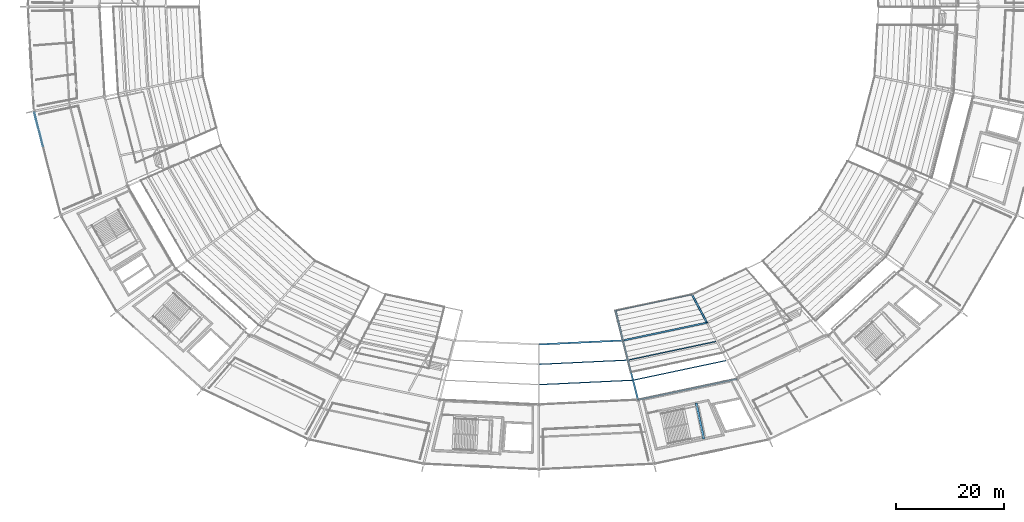
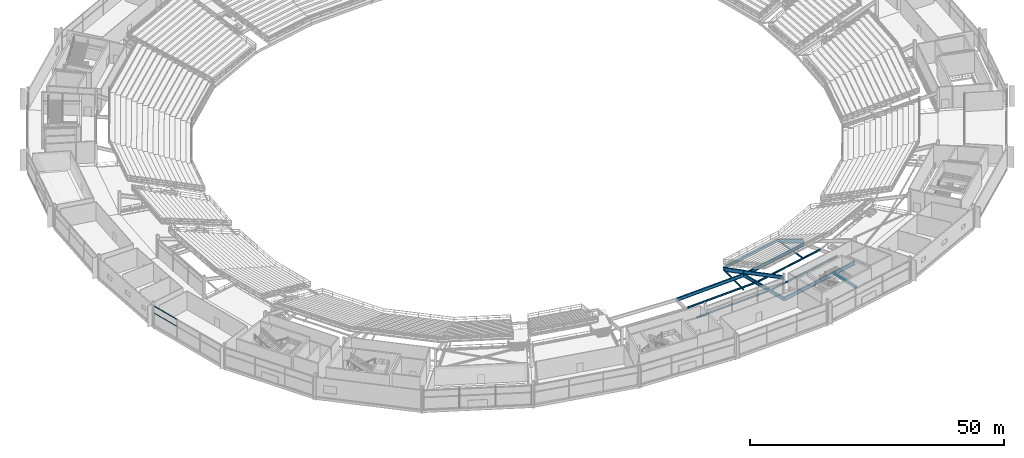
# One storey, part 41 of 186: 13 beams, 4 members, 1 element without a shape of its own.
"""IFC4 building model written with IfcOpenShell, lengths in metres."""

from ifc_helpers import new_model, si_unit, direction, frame, origin, origin_2d, place, context, subcontext, project, spatial, rectangle, hollow_rectangle, hollow_circle, i_section, extrude, material, layer, layer_set, material_profile, profile_set, type_object, element, aggregate, save


model = new_model("IFC4")

# Units and contexts
model_context = context("Model", 3, precision=1e-05, world=origin(), true_north=direction((0.0, 1.0)))
body_context = subcontext(model_context, "Body", "Model", "MODEL_VIEW")
ifc_project = project(units=[si_unit("LENGTHUNIT", "METRE"), si_unit("AREAUNIT", "SQUARE_METRE"), si_unit("VOLUMEUNIT", "CUBIC_METRE"), si_unit("PLANEANGLEUNIT", "RADIAN"), si_unit("MASSUNIT", "GRAM", prefix="KILO")], contexts=[model_context])

# Site, building, storey
site_placement = place(None, origin())
site = spatial("IfcSite", under=ifc_project, at=site_placement, CompositionType="ELEMENT")
building_placement = place(site_placement, origin())
building = spatial("IfcBuilding", under=site, at=building_placement, Name="Kazemori Nagisa Stadium", CompositionType="ELEMENT")
storey_placement = place(building_placement, frame((0.0, 0.0, 20.39990234375)))
storey = spatial("IfcBuildingStorey", under=building, at=storey_placement, Name="L04", CompositionType="ELEMENT", Elevation=20.39990234375)

# Beams
ifc_material_1 = material(Name="Steel SN490B", Category="steel")
ifc_material_profile_1 = material_profile(ifc_material_1, i_section(OverallWidth=0.300048828125, OverallDepth=0.800048828125, WebThickness=0.013916015625, FlangeThickness=0.02587890625, FilletRadius=0.01806640625, at=origin_2d()), Name="H-800x300x14x26")
ifc_profile_set_1 = profile_set([ifc_material_profile_1], Name="Steel SN490B")
beam_type_1 = type_object("IfcBeamType", Name="Beam_BG-H800", PredefinedType="BEAM", material=ifc_profile_set_1)
beam_1_placement = place(storey_placement, frame((123.0, 39.219970703125, -0.699951171875), z_axis=(0.998883604512, 0.047239227746, 0.0), x_axis=(-0.047239227746, 0.998883604512, 0.0)))
element("IfcBeam", 1, at=beam_1_placement, inside=storey, type_object=beam_type_1, Name="Ring girder BG-H800 L04 R1-22", PredefinedType="BEAM", context=body_context, shape_type="SweptSolid", body=[
    extrude(i_section(OverallWidth=0.300048828125, OverallDepth=0.800048828125, WebThickness=0.013916015625, FlangeThickness=0.02587890625, FilletRadius=0.01806640625, at=origin_2d()), origin(), (0.0, 0.0, 1.0), 15.65966796875),
])
beam_2_placement = place(storey_placement, frame((138.64208984375, 39.959716796875, -0.699951171875), z_axis=(0.978348272746, 0.206965352692, 0.0), x_axis=(-0.206965352692, 0.978348272746, 0.0)))
element("IfcBeam", 2, at=beam_2_placement, inside=storey, type_object=beam_type_1, Name="Ring girder BG-H800 L04 R1-23", PredefinedType="BEAM", context=body_context, shape_type="SweptSolid", body=[
    extrude(i_section(OverallWidth=0.300048828125, OverallDepth=0.800048828125, WebThickness=0.013916015625, FlangeThickness=0.02587890625, FilletRadius=0.01806640625, at=origin_2d()), origin(), (0.0, 0.0, 1.0), 15.950927734375),
])
beam_3_placement = place(storey_placement, frame((138.64208984375, 39.959716796875, -0.699951171875), z_axis=(0.244481205955, -0.969654031052, 0.0), x_axis=(0.969654031052, 0.244481205955, 0.0)))
element("IfcBeam", 3, at=beam_3_placement, inside=storey, type_object=beam_type_1, Name="Radial girder BG-H800 L04 R1-R2-23", PredefinedType="BEAM", context=body_context, shape_type="SweptSolid", body=[
    extrude(i_section(OverallWidth=0.300048828125, OverallDepth=0.800048828125, WebThickness=0.013916015625, FlangeThickness=0.02587890625, FilletRadius=0.01806640625, at=origin_2d()), origin(), (0.0, 0.0, 1.0), 11.39404296875),
])
ifc_material_profile_2 = material_profile(ifc_material_1, i_section(OverallWidth=0.300048828125, OverallDepth=0.89990234375, WebThickness=0.01611328125, FlangeThickness=0.028076171875, FilletRadius=0.01806640625, at=origin_2d()), Name="H-900x300x16x28")
ifc_profile_set_2 = profile_set([ifc_material_profile_2], Name="Steel SN490B")
beam_type_2 = type_object("IfcBeamType", Name="Beam_BG-H900", PredefinedType="BEAM", material=ifc_profile_set_2)
beam_4_placement = place(storey_placement, frame((141.427734375, 28.911376953125, -0.75), z_axis=(0.978345149833, 0.206980114499, 0.0), x_axis=(-0.206980114499, 0.978345149833, 0.0)))
element("IfcBeam", 4, at=beam_4_placement, inside=storey, type_object=beam_type_2, Name="Ring girder BG-H900 L04 R2-23", PredefinedType="BEAM", context=body_context, shape_type="SweptSolid", body=[
    extrude(i_section(OverallWidth=0.300048828125, OverallDepth=0.89990234375, WebThickness=0.01611328125, FlangeThickness=0.028076171875, FilletRadius=0.01806640625, at=origin_2d()), origin(), (0.0, 0.0, 1.0), 18.791259765625),
])
ifc_material_2 = material(Name="Concrete C40/50 (Fc42)", Category="concrete")
ifc_material_profile_3 = material_profile(ifc_material_2, rectangle(XDim=0.39990234375, YDim=0.60009765625, at=origin_2d()), Name="RC-BM-400x600")
ifc_profile_set_3 = profile_set([ifc_material_profile_3], Name="Concrete C40/50 (Fc42)")
beam_type_3 = type_object("IfcBeamType", Name="Beam_BG-LND400X600", PredefinedType="BEAM", material=ifc_profile_set_3)
beam_5_placement = place(storey_placement, frame((152.251708984375, 28.336669921875, 2.22021484375), z_axis=(0.206963195966, -0.97834872899, 0.0), x_axis=(0.97834872899, 0.206963195966, 0.0)))
element("IfcBeam", 5, at=beam_5_placement, inside=storey, type_object=beam_type_3, Name="Core stair mid-landing girder ST06-L04-2", PredefinedType="BEAM", context=body_context, shape_type="SweptSolid", body=[
    extrude(rectangle(XDim=0.39990234375, YDim=0.60009765625, at=origin_2d()), origin(), (0.0, 0.0, 1.0), 6.831298828125),
])
ifc_material_profile_4 = material_profile(ifc_material_1, i_section(OverallWidth=0.199951171875, OverallDepth=0.39990234375, WebThickness=0.008056640625, FlangeThickness=0.012939453125, FilletRadius=0.012939453125, at=origin_2d()), Name="H-400x200x8x13")
ifc_profile_set_4 = profile_set([ifc_material_profile_4], Name="Steel SN490B")
beam_type_4 = type_object("IfcBeamType", Name="Beam_BJ-H400", PredefinedType="JOIST", material=ifc_profile_set_4)
beam_6_placement = place(storey_placement, frame((123.144775390625, 35.52880859375, -0.5), z_axis=(0.998883881507, 0.047233370256, 0.0), x_axis=(-0.047233370256, 0.998883881507, 0.0)))
element("IfcBeam", 6, at=beam_6_placement, inside=storey, type_object=beam_type_4, Name="Concourse joist BJ-H400 L04 B22-1", PredefinedType="JOIST", context=body_context, shape_type="SweptSolid", body=[
    extrude(i_section(OverallWidth=0.199951171875, OverallDepth=0.39990234375, WebThickness=0.008056640625, FlangeThickness=0.012939453125, FilletRadius=0.012939453125, at=origin_2d()), origin(), (0.0, 0.0, 1.0), 16.2919921875),
])
beam_7_placement = place(storey_placement, frame((123.144775390625, 31.744873046875, -0.5), z_axis=(0.998884295209, 0.047224620536, 0.0), x_axis=(-0.047224620536, 0.998884295209, 0.0)))
element("IfcBeam", 7, at=beam_7_placement, inside=storey, type_object=beam_type_4, Name="Concourse joist BJ-H400 L04 B22-2", PredefinedType="JOIST", context=body_context, shape_type="SweptSolid", body=[
    extrude(i_section(OverallWidth=0.199951171875, OverallDepth=0.39990234375, WebThickness=0.008056640625, FlangeThickness=0.012939453125, FilletRadius=0.012939453125, at=origin_2d()), origin(), (0.0, 0.0, 1.0), 17.236083984375),
])
beam_8_placement = place(storey_placement, frame((139.70556640625, 36.335205078125, -0.5), z_axis=(0.978343632453, 0.206987286659, 0.0), x_axis=(-0.206987286659, 0.978343632453, 0.0)))
element("IfcBeam", 8, at=beam_8_placement, inside=storey, type_object=beam_type_4, Name="Concourse joist BJ-H400 L04 B23-1", PredefinedType="JOIST", context=body_context, shape_type="SweptSolid", body=[
    extrude(i_section(OverallWidth=0.199951171875, OverallDepth=0.39990234375, WebThickness=0.008056640625, FlangeThickness=0.012939453125, FilletRadius=0.012939453125, at=origin_2d()), origin(), (0.0, 0.0, 1.0), 16.600341796875),
])
beam_9_placement = place(storey_placement, frame((140.648193359375, 32.595703125, -0.5), z_axis=(0.978344127253, 0.206984947931, 0.0), x_axis=(-0.206984947931, 0.978344127253, 0.0)))
element("IfcBeam", 9, at=beam_9_placement, inside=storey, type_object=beam_type_4, Name="Concourse joist BJ-H400 L04 B23-2", PredefinedType="JOIST", context=body_context, shape_type="SweptSolid", body=[
    extrude(i_section(OverallWidth=0.199951171875, OverallDepth=0.39990234375, WebThickness=0.008056640625, FlangeThickness=0.012939453125, FilletRadius=0.012939453125, at=origin_2d()), origin(), (0.0, 0.0, 1.0), 17.561767578125),
])
ifc_material_profile_5 = material_profile(ifc_material_1, i_section(OverallWidth=0.199951171875, OverallDepth=0.60009765625, WebThickness=0.010986328125, FlangeThickness=0.01708984375, FilletRadius=0.012939453125, at=origin_2d()), Name="H-600x200x11x17")
ifc_profile_set_5 = profile_set([ifc_material_profile_5], Name="Steel SN490B")
beam_type_5 = type_object("IfcBeamType", Name="Beam_BS-H600", PredefinedType="SPANDREL", material=ifc_profile_set_5)
beam_10_placement = place(storey_placement, frame((137.24951171875, 45.483642578125, -1.885009765625), z_axis=(0.978343749073, 0.206986735446, 0.0), x_axis=(-0.206986735446, 0.978343749073, 0.0)))
element("IfcBeam", 10, at=beam_10_placement, inside=storey, type_object=beam_type_5, Name="Upper tier front ring beam 23", PredefinedType="SPANDREL", context=body_context, shape_type="SweptSolid", body=[
    extrude(i_section(OverallWidth=0.199951171875, OverallDepth=0.60009765625, WebThickness=0.010986328125, FlangeThickness=0.01708984375, FilletRadius=0.012939453125, at=origin_2d()), origin(), (0.0, 0.0, 1.0), 14.5302734375),
])
ifc_material_profile_6 = material_profile(ifc_material_1, i_section(OverallWidth=0.300048828125, OverallDepth=0.800048828125, WebThickness=0.013916015625, FlangeThickness=0.02587890625, FilletRadius=0.01806640625, at=origin_2d()), Name="H-800x300x14x26")
ifc_profile_set_6 = profile_set([ifc_material_profile_6], Name="Steel SN490B")
beam_type_6 = type_object("IfcBeamType", Name="Beam_RK-ST800", PredefinedType="USERDEFINED", material=ifc_profile_set_6)
beam_11_placement = place(storey_placement, frame((138.64208984375, 39.959716796875, 0.02001953125), z_axis=(0.227863469401, -0.903745262427, 0.362384795421), x_axis=(0.969654031052, 0.244481205955, 0.0)))
element("IfcBeam", 11, at=beam_11_placement, inside=storey, type_object=beam_type_6, Name="Raker beam upper backspan RK3-23B", ObjectType="RAKER BEAM", PredefinedType="USERDEFINED", context=body_context, shape_type="SweptSolid", body=[
    extrude(i_section(OverallWidth=0.300048828125, OverallDepth=0.800048828125, WebThickness=0.013916015625, FlangeThickness=0.02587890625, FilletRadius=0.01806640625, at=origin_2d()), origin(), (0.0, 0.0, 1.0), 12.22509765625),
])
ifc_material_profile_7 = material_profile(ifc_material_1, i_section(OverallWidth=0.300048828125, OverallDepth=0.89990234375, WebThickness=0.01611328125, FlangeThickness=0.028076171875, FilletRadius=0.01806640625, at=origin_2d()), Name="H-900x300x16x28")
ifc_profile_set_7 = profile_set([ifc_material_profile_7], Name="Steel SN490B")
beam_type_7 = type_object("IfcBeamType", Name="Beam_RK-ST900", PredefinedType="USERDEFINED", material=ifc_profile_set_7)
beam_12_placement = place(storey_placement, frame((137.24951171875, 45.483642578125, -2.14990234375), z_axis=(0.22844014143, -0.906151234222, 0.355956517712), x_axis=(0.969661628586, 0.244451070868, 0.0)))
element("IfcBeam", 12, at=beam_12_placement, inside=storey, type_object=beam_type_7, Name="Raker beam upper cantilever RK3-23A", ObjectType="RAKER BEAM", PredefinedType="USERDEFINED", context=body_context, shape_type="SweptSolid", body=[
    extrude(i_section(OverallWidth=0.300048828125, OverallDepth=0.89990234375, WebThickness=0.01611328125, FlangeThickness=0.028076171875, FilletRadius=0.01806640625, at=origin_2d()), origin(), (0.0, 0.0, 1.0), 6.095947265625),
])
beam_13_placement = place(storey_placement, frame((151.465087890625, 48.4912109375, -2.14990234375), z_axis=(0.441018272718, -0.828984334161, 0.343930017366), x_axis=(0.882841850635, 0.469670380978, 0.0)))
element("IfcBeam", 13, at=beam_13_placement, inside=storey, type_object=beam_type_7, Name="Raker beam upper cantilever RK3-24A", ObjectType="RAKER BEAM", PredefinedType="USERDEFINED", context=body_context, shape_type="SweptSolid", body=[
    extrude(i_section(OverallWidth=0.300048828125, OverallDepth=0.89990234375, WebThickness=0.01611328125, FlangeThickness=0.028076171875, FilletRadius=0.01806640625, at=origin_2d()), origin(), (0.0, 0.0, 1.0), 6.30908203125),
])

# Members
ifc_material_3 = material(Name="Steel STK490", Category="steel")
ifc_material_profile_8 = material_profile(ifc_material_3, hollow_circle(Radius=0.177734375, WallThickness=0.0126953125, at=origin_2d()), Name="CHS-355.6x12.7")
ifc_profile_set_8 = profile_set([ifc_material_profile_8], Name="Steel STK490")
member_type_1 = type_object("IfcMemberType", Name="Member_TB-CHS355", PredefinedType="BRACE", material=ifc_profile_set_8)
member_1_placement = place(storey_placement, frame((138.64208984375, 39.959716796875, -4.25), z_axis=(-0.229362090692, 0.909808321179, 0.345892830318), x_axis=(-0.969661628586, -0.244451070868, 0.0)))
element("IfcMember", 14, at=member_1_placement, inside=storey, type_object=member_type_1, Name="Upper tier cantilever truss strut UT-23", PredefinedType="BRACE", context=body_context, shape_type="SweptSolid", body=[
    extrude(hollow_circle(Radius=0.177734375, WallThickness=0.0126953125, at=origin_2d()), origin(), (0.0, 0.0, 1.0), 6.071533203125),
])
member_2_placement = place(storey_placement, frame((154.24755859375, 43.260986328125, -4.25), z_axis=(-0.442679245827, 0.832106473927, 0.334116598456), x_axis=(-0.882841850635, -0.469670380978, 0.0)))
element("IfcMember", 15, at=member_2_placement, inside=storey, type_object=member_type_1, Name="Upper tier cantilever truss strut UT-24", PredefinedType="BRACE", context=body_context, shape_type="SweptSolid", body=[
    extrude(hollow_circle(Radius=0.177734375, WallThickness=0.0126953125, at=origin_2d()), origin(), (0.0, 0.0, 1.0), 6.28564453125),
])

# Curtain wall, members
ifc_material_4 = material(Name="Anodised aluminium 6063-T5", Category="aluminium")
ifc_layer = layer(ifc_material_4, 0.179931640625, Name="Anodised aluminium 6063-T5", Category="aluminium")
ifc_layer_set = layer_set([ifc_layer], Name="Anodised aluminium 6063-T5")
curtain_wall_type = type_object("IfcCurtainWallType", Name="CW_L04R3_98", PredefinedType="USERDEFINED", material=ifc_layer_set)
curtain_wall_placement = place(storey_placement, origin())
curtain_wall = element("IfcCurtainWall", 16, at=curtain_wall_placement, inside=storey, type_object=curtain_wall_type, Name="Unitised curtain wall CW-L04R3-98 L04", ObjectType="UNITISED CURTAIN WALL", PredefinedType="USERDEFINED")
ifc_material_5 = material(Name="Aluminium 6063-T5 anodised", Category="aluminium")
ifc_material_profile_9 = material_profile(ifc_material_5, hollow_rectangle(XDim=0.070068359375, YDim=0.139892578125, WallThickness=0.00390625, at=origin_2d()), Name="ALU-TRAN-70x140x4")
ifc_profile_set_9 = profile_set([ifc_material_profile_9], Name="Aluminium 6063-T5 anodised")
member_type_2 = type_object("IfcMemberType", Name="Transom_T01", PredefinedType="USERDEFINED", material=ifc_profile_set_9)
member_3_placement = place(storey_placement, frame((29.18798828125, 82.3359375, 2.80859375), z_axis=(0.249971861357, -0.968253101482, 0.0), x_axis=(0.968253101482, 0.249971861357, 0.0)))
member_3 = element("IfcMember", 17, at=member_3_placement, type_object=member_type_2, Name="Curtain wall transom CW-L04R3-98-T1-mid", ObjectType="TRANSOM", PredefinedType="USERDEFINED", context=body_context, shape_type="SweptSolid", body=[
    extrude(hollow_rectangle(XDim=0.070068359375, YDim=0.139892578125, WallThickness=0.00390625, at=origin_2d()), origin(), (0.0, 0.0, 1.0), 6.451904296875),
])
member_4_placement = place(storey_placement, frame((29.18798828125, 82.3359375, 4.460205078125), z_axis=(0.249971861357, -0.968253101482, 0.0), x_axis=(0.968253101482, 0.249971861357, 0.0)))
member_4 = element("IfcMember", 18, at=member_4_placement, type_object=member_type_2, Name="Curtain wall transom CW-L04R3-98-T1-head", ObjectType="TRANSOM", PredefinedType="USERDEFINED", context=body_context, shape_type="SweptSolid", body=[
    extrude(hollow_rectangle(XDim=0.070068359375, YDim=0.139892578125, WallThickness=0.00390625, at=origin_2d()), origin(), (0.0, 0.0, 1.0), 6.451904296875),
])
aggregate(curtain_wall, [member_3, member_4])

save(model, "model.ifc")
